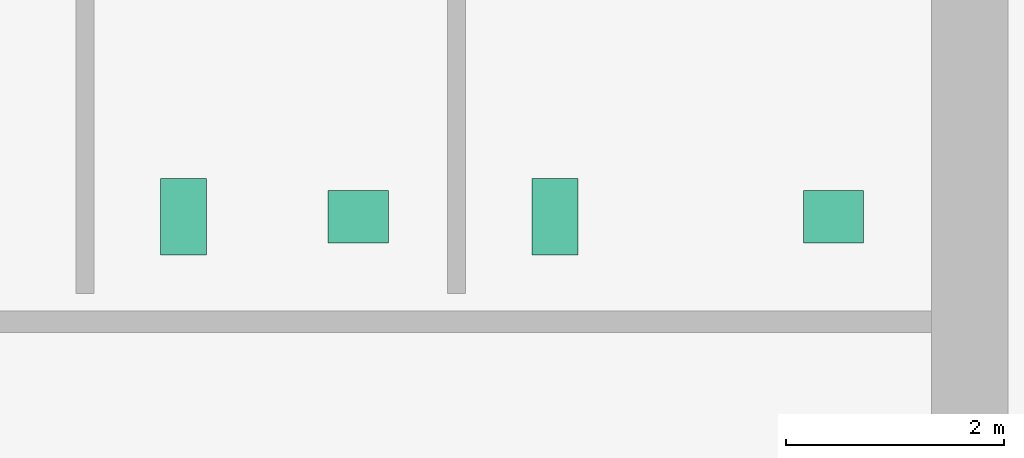
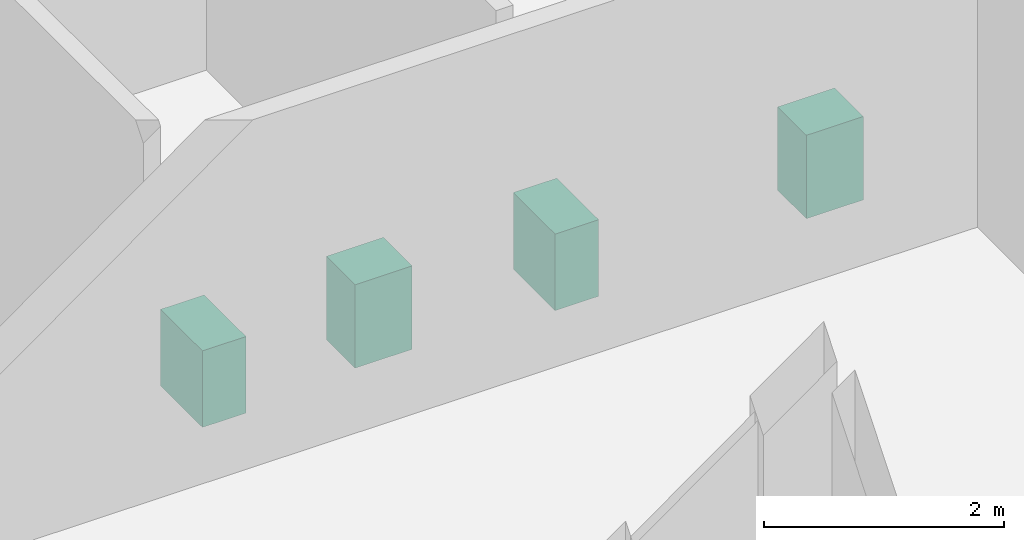
# One storey, part 13 of 13: 4 sanitary terminals.
"""IFC4 building model written with IfcOpenShell, lengths in metres."""

from ifc_helpers import new_model, si_unit, direction, frame, origin, origin_2d, place, context, subcontext, project, spatial, rectangle, extrude, material, type_object, element, save


model = new_model("IFC4")

# Units and contexts
model_context = context("Model", 3, precision=1e-05, world=origin(), true_north=direction((0.0, 1.0)))
body_context = subcontext(model_context, "Body", "Model", "MODEL_VIEW")
ifc_project = project(units=[si_unit("LENGTHUNIT", "METRE"), si_unit("AREAUNIT", "SQUARE_METRE"), si_unit("VOLUMEUNIT", "CUBIC_METRE"), si_unit("PLANEANGLEUNIT", "RADIAN"), si_unit("MASSUNIT", "GRAM", prefix="KILO")], contexts=[model_context])

# Site, building, storey
site_placement = place(None, origin())
site = spatial("IfcSite", under=ifc_project, at=site_placement, CompositionType="ELEMENT")
building_placement = place(site_placement, origin())
building = spatial("IfcBuilding", under=site, at=building_placement, Name="Norrvale University Quadrangle", CompositionType="ELEMENT")
storey_placement = place(building_placement, frame((0.0, 0.0, 171.199951171875)))
storey = spatial("IfcBuildingStorey", under=building, at=storey_placement, Name="L43", CompositionType="ELEMENT", Elevation=171.199951171875)

# Sanitary terminals
ifc_material = material(Name="Vitreous China Sanitaryware")
sanitary_terminal_type_1 = type_object("IfcSanitaryTerminalType", Name="Sanitary Wash Basin", PredefinedType="WASHHANDBASIN", material=ifc_material)
for number, where, z_axis, x_axis, name in (
    (1, (11.199951171875, 41.10009765625, 0.0), (0.0, 0.0, 1.0), (1.0, 0.0, 0.0), "Accessible Countertop Washbasin L43-1"),
    (2, (15.550048828125, 41.10009765625, 0.0), (0.0, 0.0, 1.0), (1.0, 0.0, 0.0), "Accessible Countertop Washbasin L43-2"),
):
    element("IfcSanitaryTerminal", number, at=place(storey_placement, frame(where, z_axis=z_axis, x_axis=x_axis)), inside=storey, type_object=sanitary_terminal_type_1, Name=name, PredefinedType="WASHHANDBASIN", context=body_context, shape_type="SweptSolid", body=[
        extrude(rectangle(XDim=0.550048828125, YDim=0.47998046875, at=origin_2d()), origin(), (0.0, 0.0, 1.0), 0.85009765625),
    ])
sanitary_terminal_type_2 = type_object("IfcSanitaryTerminalType", Name="Sanitary Water Closet", PredefinedType="TOILETPAN", material=ifc_material)
for number, where, z_axis, x_axis, name in (
    (3, (9.60009765625, 41.10009765625, 0.0), (0.0, 0.0, 1.0), (1.0, 0.0, 0.0), "Wall-Hung Water Closet L43-1"),
    (4, (13.0, 41.10009765625, 0.0), (0.0, 0.0, 1.0), (1.0, 0.0, 0.0), "Wall-Hung Water Closet L43-2"),
):
    element("IfcSanitaryTerminal", number, at=place(storey_placement, frame(where, z_axis=z_axis, x_axis=x_axis)), inside=storey, type_object=sanitary_terminal_type_2, Name=name, PredefinedType="TOILETPAN", context=body_context, shape_type="SweptSolid", body=[
        extrude(rectangle(XDim=0.419921875, YDim=0.699951171875, at=origin_2d()), origin(), (0.0, 0.0, 1.0), 0.780029296875),
    ])

save(model, "model.ifc")
